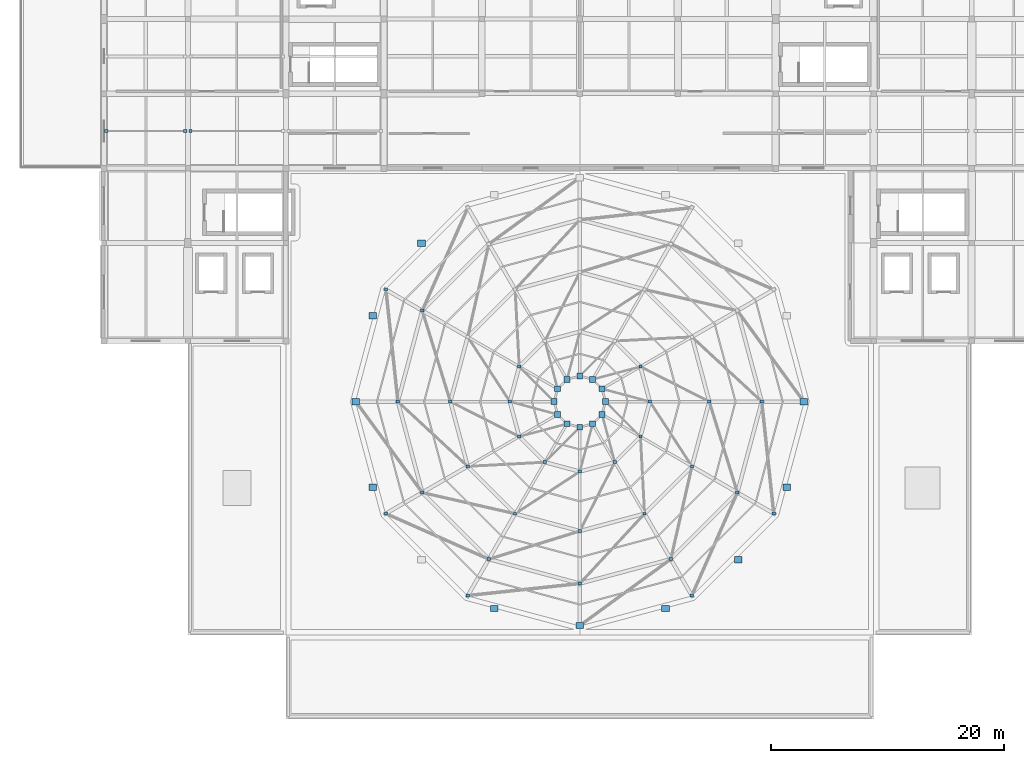
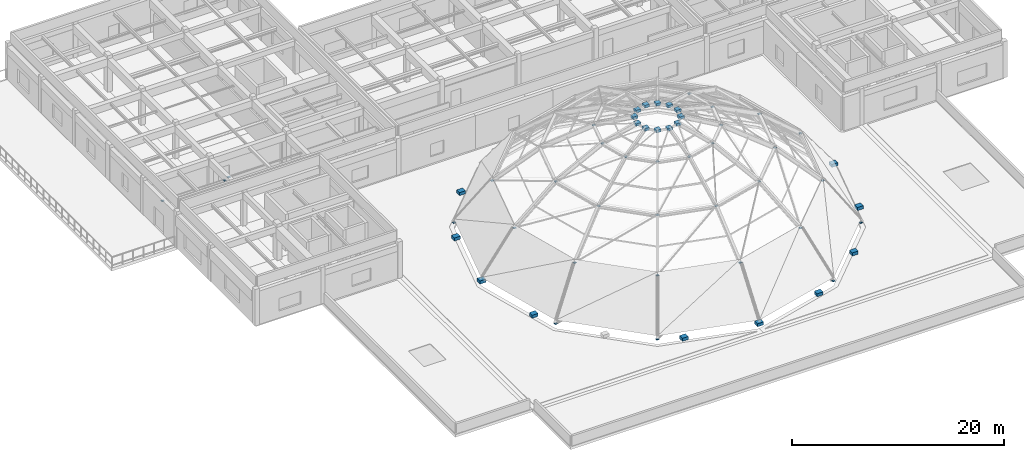
# One storey, part 15 of 18: 54 discrete accessories.
"""IFC4 building model written with IfcOpenShell, lengths in metres."""

from ifc_helpers import new_model, si_unit, direction, frame, origin, origin_2d, place, context, subcontext, project, spatial, rectangle, extrude, material, type_object, element, save


model = new_model("IFC4")

# Units and contexts
model_context = context("Model", 3, precision=1e-05, world=origin(), true_north=direction((0.0, 1.0)))
body_context = subcontext(model_context, "Body", "Model", "MODEL_VIEW")
ifc_project = project(units=[si_unit("LENGTHUNIT", "METRE"), si_unit("AREAUNIT", "SQUARE_METRE"), si_unit("VOLUMEUNIT", "CUBIC_METRE"), si_unit("PLANEANGLEUNIT", "RADIAN"), si_unit("MASSUNIT", "GRAM", prefix="KILO")], contexts=[model_context])

# Site, building, storey
site_placement = place(None, origin())
site = spatial("IfcSite", under=ifc_project, at=site_placement, CompositionType="ELEMENT")
building_placement = place(site_placement, origin())
building = spatial("IfcBuilding", under=site, at=building_placement, Name="Korsvaeld Concert Hall", CompositionType="ELEMENT")
storey_placement = place(building_placement, frame((0.0, 0.0, 17.39990234375)))
storey = spatial("IfcBuildingStorey", under=building, at=storey_placement, Name="L04", CompositionType="ELEMENT", Elevation=17.39990234375)

# Discrete accessories
ifc_material = material(Name="Steel S355J2", Category="steel")
discrete_accessory_type_1 = type_object("IfcDiscreteAccessoryType", Name="ACC-GUSSET-S355", PredefinedType="BRACKET", material=ifc_material)
for number, where, z_axis, x_axis, name in (
    (1, (43.39990234375, 86.39990234375, 3.237548828125), (0.0, 0.0, 1.0), (1.0, 0.0, 0.0), "Brace and strut S355J2 gusset end-plate 001"),
    (2, (50.175048828125, 86.39990234375, 3.237548828125), (0.0, 0.0, 1.0), (1.0, 0.0, 0.0), "Brace and strut S355J2 gusset end-plate 002"),
    (3, (50.625, 86.39990234375, 3.457763671875), (0.0, 0.0, 1.0), (1.0, 0.0, 0.0), "Brace and strut S355J2 gusset end-plate 003"),
    (4, (99.60009765625, 63.199951171875, 5.437744140625), (0.0, 0.0, 1.0), (1.0, 0.0, 0.0), "Brace and strut S355J2 gusset end-plate 058"),
    (5, (95.10009765625, 63.199951171875, 9.237548828125), (0.0, 0.0, 1.0), (1.0, 0.0, 0.0), "Brace and strut S355J2 gusset end-plate 060"),
    (6, (89.1962890625, 66.199951171875, 11.837646484375), (0.0, 0.0, 1.0), (1.0, 0.0, 0.0), "Brace and strut S355J2 gusset end-plate 061"),
    (7, (90.0, 63.199951171875, 11.837646484375), (0.0, 0.0, 1.0), (1.0, 0.0, 0.0), "Brace and strut S355J2 gusset end-plate 062"),
    (8, (70.489990234375, 71.0, 5.437744140625), (0.0, 0.0, 1.0), (1.0, 0.0, 0.0), "Brace and strut S355J2 gusset end-plate 075"),
    (9, (78.8037109375, 66.199951171875, 11.837646484375), (0.0, 0.0, 1.0), (1.0, 0.0, 0.0), "Brace and strut S355J2 gusset end-plate 077"),
    (10, (67.372314453125, 72.800048828125, 0.587646484375), (0.0, 0.0, 1.0), (1.0, 0.0, 0.0), "Brace and strut S355J2 gusset end-plate 078"),
    (11, (68.39990234375, 63.199951171875, 5.437744140625), (0.0, 0.0, 1.0), (1.0, 0.0, 0.0), "Brace and strut S355J2 gusset end-plate 079"),
    (12, (72.89990234375, 63.199951171875, 9.237548828125), (0.0, 0.0, 1.0), (1.0, 0.0, 0.0), "Brace and strut S355J2 gusset end-plate 080"),
    (13, (78.0, 63.199951171875, 11.837646484375), (0.0, 0.0, 1.0), (1.0, 0.0, 0.0), "Brace and strut S355J2 gusset end-plate 081"),
    (14, (70.489990234375, 55.39990234375, 5.437744140625), (0.0, 0.0, 1.0), (1.0, 0.0, 0.0), "Brace and strut S355J2 gusset end-plate 082"),
    (15, (74.38720703125, 57.64990234375, 9.237548828125), (0.0, 0.0, 1.0), (1.0, 0.0, 0.0), "Brace and strut S355J2 gusset end-plate 083"),
    (16, (78.8037109375, 60.199951171875, 11.837646484375), (0.0, 0.0, 1.0), (1.0, 0.0, 0.0), "Brace and strut S355J2 gusset end-plate 084"),
    (17, (67.372314453125, 53.60009765625, 0.587646484375), (0.0, 0.0, 1.0), (1.0, 0.0, 0.0), "Brace and strut S355J2 gusset end-plate 085"),
    (18, (76.199951171875, 49.68994140625, 5.437744140625), (0.0, 0.0, 1.0), (1.0, 0.0, 0.0), "Brace and strut S355J2 gusset end-plate 086"),
    (19, (78.449951171875, 53.587158203125, 9.237548828125), (0.0, 0.0, 1.0), (1.0, 0.0, 0.0), "Brace and strut S355J2 gusset end-plate 087"),
    (20, (81.0, 58.00390625, 11.837646484375), (0.0, 0.0, 1.0), (1.0, 0.0, 0.0), "Brace and strut S355J2 gusset end-plate 088"),
    (21, (74.39990234375, 46.572265625, 0.587646484375), (0.0, 0.0, 1.0), (1.0, 0.0, 0.0), "Brace and strut S355J2 gusset end-plate 089"),
    (22, (84.0, 47.60009765625, 5.437744140625), (0.0, 0.0, 1.0), (1.0, 0.0, 0.0), "Brace and strut S355J2 gusset end-plate 090"),
    (23, (84.0, 52.10009765625, 9.237548828125), (0.0, 0.0, 1.0), (1.0, 0.0, 0.0), "Brace and strut S355J2 gusset end-plate 091"),
    (24, (84.0, 57.199951171875, 11.837646484375), (0.0, 0.0, 1.0), (1.0, 0.0, 0.0), "Brace and strut S355J2 gusset end-plate 092"),
    (25, (91.800048828125, 49.68994140625, 5.437744140625), (0.0, 0.0, 1.0), (1.0, 0.0, 0.0), "Brace and strut S355J2 gusset end-plate 093"),
    (26, (89.550048828125, 53.587158203125, 9.237548828125), (0.0, 0.0, 1.0), (1.0, 0.0, 0.0), "Brace and strut S355J2 gusset end-plate 094"),
    (27, (87.0, 58.00390625, 11.837646484375), (0.0, 0.0, 1.0), (1.0, 0.0, 0.0), "Brace and strut S355J2 gusset end-plate 095"),
    (28, (93.60009765625, 46.572265625, 0.587646484375), (0.0, 0.0, 1.0), (1.0, 0.0, 0.0), "Brace and strut S355J2 gusset end-plate 096"),
    (29, (97.510009765625, 55.39990234375, 5.437744140625), (0.0, 0.0, 1.0), (1.0, 0.0, 0.0), "Brace and strut S355J2 gusset end-plate 097"),
    (30, (93.61279296875, 57.64990234375, 9.237548828125), (0.0, 0.0, 1.0), (1.0, 0.0, 0.0), "Brace and strut S355J2 gusset end-plate 098"),
    (31, (89.1962890625, 60.199951171875, 11.837646484375), (0.0, 0.0, 1.0), (1.0, 0.0, 0.0), "Brace and strut S355J2 gusset end-plate 099"),
    (32, (100.627685546875, 53.60009765625, 0.587646484375), (0.0, 0.0, 1.0), (1.0, 0.0, 0.0), "Brace and strut S355J2 gusset end-plate 100"),
):
    element("IfcDiscreteAccessory", number, at=place(storey_placement, frame(where, z_axis=z_axis, x_axis=x_axis)), inside=storey, type_object=discrete_accessory_type_1, Name=name, PredefinedType="BRACKET", context=body_context, shape_type="SweptSolid", body=[
        extrude(rectangle(XDim=0.280029296875, YDim=0.25, at=origin_2d()), origin(), (0.0, 0.0, 1.0), 0.02490234375),
    ])
discrete_accessory_type_2 = type_object("IfcDiscreteAccessoryType", Name="ACC-SHOE-APEX", PredefinedType="SHOE", material=ifc_material)
for number, where, z_axis, x_axis, name in (
    (33, (86.199951171875, 63.199951171875, 12.669921875), (0.0, 0.0, 1.0), (1.0, 0.0, 0.0), "Dome lantern compression ring shoe ND-APEX1-01"),
    (34, (85.9052734375, 64.300048828125, 12.669921875), (0.0, 0.0, 1.0), (1.0, 0.0, 0.0), "Dome lantern compression ring shoe ND-APEX1-02"),
    (35, (85.10009765625, 65.105224609375, 12.669921875), (0.0, 0.0, 1.0), (1.0, 0.0, 0.0), "Dome lantern compression ring shoe ND-APEX1-03"),
    (36, (84.0, 65.39990234375, 12.669921875), (0.0, 0.0, 1.0), (1.0, 0.0, 0.0), "Dome lantern compression ring shoe ND-APEX1-04"),
    (37, (82.89990234375, 65.105224609375, 12.669921875), (0.0, 0.0, 1.0), (1.0, 0.0, 0.0), "Dome lantern compression ring shoe ND-APEX1-05"),
    (38, (82.0947265625, 64.300048828125, 12.669921875), (0.0, 0.0, 1.0), (1.0, 0.0, 0.0), "Dome lantern compression ring shoe ND-APEX1-06"),
    (39, (81.800048828125, 63.199951171875, 12.669921875), (0.0, 0.0, 1.0), (1.0, 0.0, 0.0), "Dome lantern compression ring shoe ND-APEX1-07"),
    (40, (82.0947265625, 62.10009765625, 12.669921875), (0.0, 0.0, 1.0), (1.0, 0.0, 0.0), "Dome lantern compression ring shoe ND-APEX1-08"),
    (41, (82.89990234375, 61.294677734375, 12.669921875), (0.0, 0.0, 1.0), (1.0, 0.0, 0.0), "Dome lantern compression ring shoe ND-APEX1-09"),
    (42, (84.0, 61.0, 12.669921875), (0.0, 0.0, 1.0), (1.0, 0.0, 0.0), "Dome lantern compression ring shoe ND-APEX1-10"),
    (43, (85.10009765625, 61.294677734375, 12.669921875), (0.0, 0.0, 1.0), (1.0, 0.0, 0.0), "Dome lantern compression ring shoe ND-APEX1-11"),
    (44, (85.9052734375, 62.10009765625, 12.669921875), (0.0, 0.0, 1.0), (1.0, 0.0, 0.0), "Dome lantern compression ring shoe ND-APEX1-12"),
):
    element("IfcDiscreteAccessory", number, at=place(storey_placement, frame(where, z_axis=z_axis, x_axis=x_axis)), inside=storey, type_object=discrete_accessory_type_2, Name=name, PredefinedType="SHOE", context=body_context, shape_type="SweptSolid", body=[
        extrude(rectangle(XDim=0.5, YDim=0.5, at=origin_2d()), origin(), (0.0, 0.0, 1.0), 0.300048828125),
    ])
discrete_accessory_type_3 = type_object("IfcDiscreteAccessoryType", Name="ACC-SHOE-RING", PredefinedType="SHOE", material=ifc_material)
for number, where, z_axis, x_axis, name in (
    (45, (103.199951171875, 63.199951171875, 0.47509765625), (0.0, 0.0, 1.0), (1.0, 0.0, 0.0), "Dome ring bearing shoe ND-RING1-01"),
    (46, (70.423583984375, 76.776611328125, 0.47509765625), (0.0, 0.0, 1.0), (1.0, 0.0, 0.0), "Dome ring bearing shoe ND-RING1-07"),
    (47, (66.261474609375, 70.547607421875, 0.47509765625), (0.0, 0.0, 1.0), (1.0, 0.0, 0.0), "Dome ring bearing shoe ND-RING1-08"),
    (48, (64.800048828125, 63.199951171875, 0.47509765625), (0.0, 0.0, 1.0), (1.0, 0.0, 0.0), "Dome ring bearing shoe ND-RING1-09"),
    (49, (66.261474609375, 55.8525390625, 0.47509765625), (0.0, 0.0, 1.0), (1.0, 0.0, 0.0), "Dome ring bearing shoe ND-RING1-10"),
    (50, (76.652587890625, 45.46142578125, 0.47509765625), (0.0, 0.0, 1.0), (1.0, 0.0, 0.0), "Dome ring bearing shoe ND-RING1-12"),
    (51, (84.0, 44.0, 0.47509765625), (0.0, 0.0, 1.0), (1.0, 0.0, 0.0), "Dome ring bearing shoe ND-RING1-13"),
    (52, (91.347412109375, 45.46142578125, 0.47509765625), (0.0, 0.0, 1.0), (1.0, 0.0, 0.0), "Dome ring bearing shoe ND-RING1-14"),
    (53, (97.576416015625, 49.62353515625, 0.47509765625), (0.0, 0.0, 1.0), (1.0, 0.0, 0.0), "Dome ring bearing shoe ND-RING1-15"),
    (54, (101.738525390625, 55.8525390625, 0.47509765625), (0.0, 0.0, 1.0), (1.0, 0.0, 0.0), "Dome ring bearing shoe ND-RING1-16"),
):
    element("IfcDiscreteAccessory", number, at=place(storey_placement, frame(where, z_axis=z_axis, x_axis=x_axis)), inside=storey, type_object=discrete_accessory_type_3, Name=name, PredefinedType="SHOE", context=body_context, shape_type="SweptSolid", body=[
        extrude(rectangle(XDim=0.64990234375, YDim=0.550048828125, at=origin_2d()), origin(), (0.0, 0.0, 1.0), 0.35009765625),
    ])

save(model, "model.ifc")
